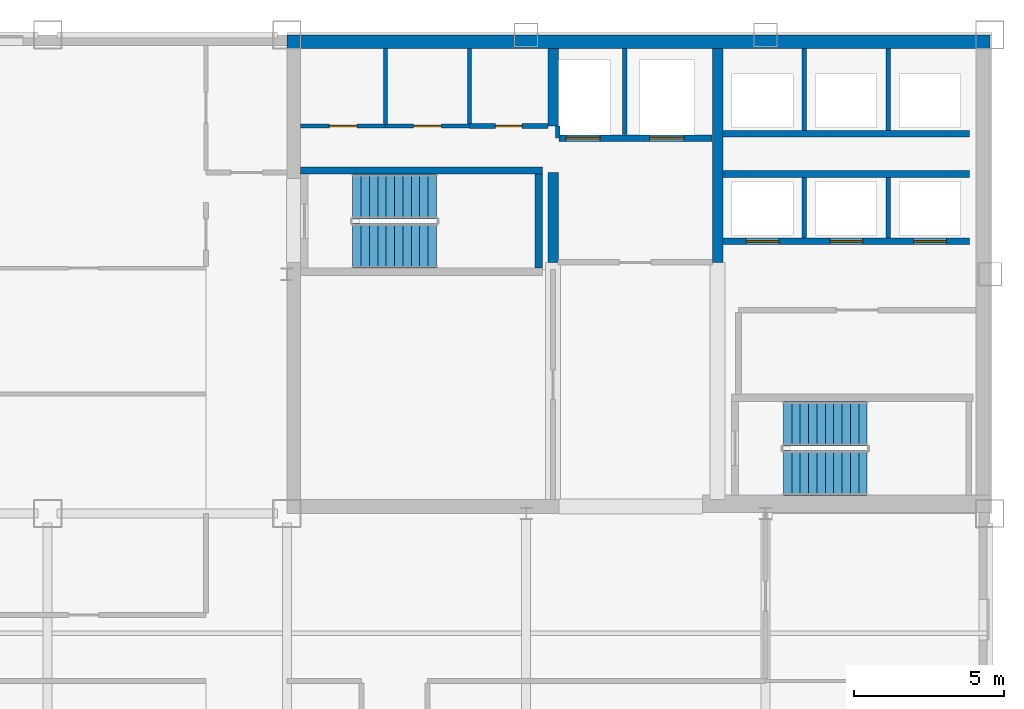
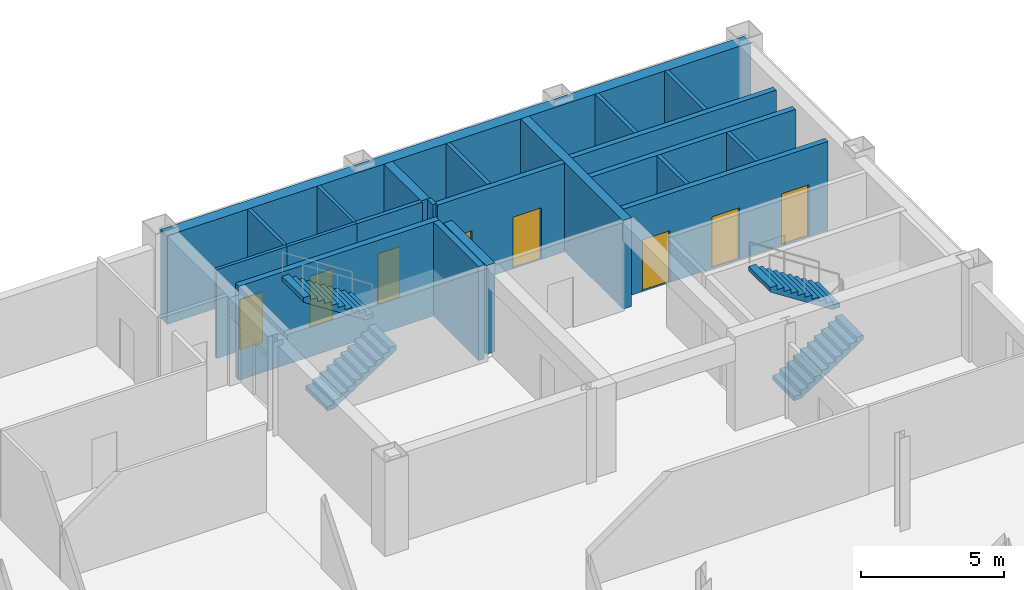
# One storey, part 6 of 10: 21 walls, 8 doors, 4 stair flights, 8 openings, 2 elements without a shape of their own.
"""IFC4 building model written with IfcOpenShell, lengths in metres."""

from ifc_helpers import new_model, si_unit, direction, frame, frame_2d, origin, place, context, subcontext, project, spatial, polyline, rectangle, outline, extrude, material, layer, layer_set, type_object, element, fill, aggregate, save


model = new_model("IFC4")

# Units and contexts
model_context = context("Model", 3, precision=1e-05, world=origin(), true_north=direction((0.0, 1.0)))
body_context = subcontext(model_context, "Body", "Model", "MODEL_VIEW")
ifc_project = project(units=[si_unit("LENGTHUNIT", "METRE"), si_unit("AREAUNIT", "SQUARE_METRE"), si_unit("VOLUMEUNIT", "CUBIC_METRE"), si_unit("PLANEANGLEUNIT", "RADIAN"), si_unit("MASSUNIT", "GRAM", prefix="KILO")], contexts=[model_context])

# Site, building, storey
site_placement = place(None, origin())
site = spatial("IfcSite", under=ifc_project, at=site_placement, CompositionType="ELEMENT")
building_placement = place(site_placement, origin())
building = spatial("IfcBuilding", under=site, at=building_placement, Name="Qianrong Seaharbour Tower", CompositionType="ELEMENT")
storey_placement = place(building_placement, frame((0.0, 0.0, 253.800048828125)))
storey = spatial("IfcBuildingStorey", under=building, at=storey_placement, Name="L61", CompositionType="ELEMENT", Elevation=253.800048828125)

# Walls
ifc_material_1 = material(Name="Concrete C60/75", Category="concrete")
ifc_layer_1 = layer(ifc_material_1, 0.4599609375)
ifc_layer_set_1 = layer_set([ifc_layer_1], Name="Concrete C60/75")
wall_type_1 = type_object("IfcWallType", Name="WALL-CORE-460", PredefinedType="SHEAR", material=ifc_layer_set_1)
wall_1_placement = place(storey_placement, frame((40.5, 51.77001953125, 0.0), z_axis=(0.0, 0.0, 1.0), x_axis=(1.0, 0.0, 0.0)))
element("IfcWall", 1, at=wall_1_placement, inside=storey, type_object=wall_type_1, Name="L61 North Core Shear Wall", PredefinedType="SHEAR", context=body_context, shape_type="SweptSolid", body=[
    extrude(rectangle(XDim=23.5, YDim=0.4599609375, at=frame_2d((11.75, 0.0))), origin(), (0.0, 0.0, 1.0), 3.77490234375),
])
ifc_material_2 = material(Name="Concrete C50/60", Category="concrete")
ifc_layer_2 = layer(ifc_material_2, 0.35009765625)
ifc_layer_set_2 = layer_set([ifc_layer_2], Name="Concrete C50/60")
wall_type_2 = type_object("IfcWallType", Name="WALL-CORE-INT-350", PredefinedType="SHEAR", material=ifc_layer_set_2)
wall_2_placement = place(storey_placement, frame((49.39990234375, 44.39990234375, 0.0), z_axis=(0.0, 0.0, 1.0), x_axis=(0.0, 1.0, 0.0)))
element("IfcWall", 2, at=wall_2_placement, inside=storey, type_object=wall_type_2, Name="L61 Internal Core Shear Wall IW1N1", PredefinedType="SHEAR", context=body_context, shape_type="SweptSolid", body=[
    extrude(rectangle(XDim=3.0, YDim=0.35009765625, at=frame_2d((1.5, 0.0))), origin(), (0.0, 0.0, 1.0), 3.77490234375),
])
wall_3_placement = place(storey_placement, frame((49.39990234375, 48.949951171875, 0.0), z_axis=(0.0, 0.0, 1.0), x_axis=(0.0, 1.0, 0.0)))
element("IfcWall", 3, at=wall_3_placement, inside=storey, type_object=wall_type_2, Name="L61 Internal Core Shear Wall IW1N2", PredefinedType="SHEAR", context=body_context, shape_type="SweptSolid", body=[
    extrude(rectangle(XDim=2.590087890625, YDim=0.35009765625, at=frame_2d((1.294921875, 0.0))), origin(), (0.0, 0.0, 1.0), 3.77490234375),
])
wall_4_placement = place(storey_placement, frame((54.89990234375, 44.39990234375, 0.0), z_axis=(0.0, 0.0, 1.0), x_axis=(0.0, 1.0, 0.0)))
element("IfcWall", 4, at=wall_4_placement, inside=storey, type_object=wall_type_2, Name="L61 Internal Core Shear Wall IW2N", PredefinedType="SHEAR", context=body_context, shape_type="SweptSolid", body=[
    extrude(rectangle(XDim=7.14013671875, YDim=0.35009765625, at=frame_2d((3.570068359375, 0.0))), origin(), (0.0, 0.0, 1.0), 3.77490234375),
])

# Wall, opening, door
ifc_material_3 = material(Name="Fire-rated acoustic gypsum board partition")
ifc_layer_3 = layer(ifc_material_3, 0.1650390625)
ifc_layer_set_3 = layer_set([ifc_layer_3], Name="Fire-rated acoustic gypsum board partition")
wall_type_3 = type_object("IfcWallType", Name="WALL-CORR-PART-165", PredefinedType="PARTITIONING", material=ifc_layer_set_3)
wall_5_placement = place(storey_placement, frame((46.60009765625, 48.949951171875, 0.0), z_axis=(0.0, 0.0, 1.0), x_axis=(1.0, 0.0, 0.0)))
wall_5 = element("IfcWall", 5, at=wall_5_placement, inside=storey, type_object=wall_type_3, Name="L61 Interior Partition Wall 006", PredefinedType="PARTITIONING", context=body_context, shape_type="SweptSolid", body=[
    extrude(rectangle(XDim=2.6328125, YDim=0.1650390625, at=frame_2d((1.31640625, 0.0))), origin(), (0.0, 0.0, 1.0), 3.77490234375),
])
opening_1_placement = place(wall_5_placement, frame((0.866455078125, 0.0, 0.0)))
opening_1 = element("IfcOpeningElement", 6, at=opening_1_placement, cuts=wall_5, Name="Opening DS-01", PredefinedType="OPENING", context=body_context, shape_type="SweptSolid", body=[
    extrude(rectangle(XDim=0.89990234375, YDim=2.14990234375, at=frame_2d((0.449951171875, 1.074951171875))), frame((0.0, 0.092529296875, 0.0), z_axis=(0.0, -1.0, 0.0), x_axis=(1.0, 0.0, 0.0)), (0.0, 0.0, 1.0), 0.18505859375),
])
ifc_material_4 = material(Name="Acoustic timber and galvanized steel fire door assembly", Category="steel")
door_type_1 = type_object("IfcDoorType", Name="DOOR-STORE-900x2150", OperationType="NOTDEFINED", PredefinedType="DOOR", material=ifc_material_4)
door_1_placement = place(opening_1_placement, origin())
door_1 = element("IfcDoor", 7, at=door_1_placement, inside=storey, type_object=door_type_1, Name="L61 Cleaner Store Room Door", OperationType="SINGLE_SWING_LEFT", OverallHeight=2.14990234375, OverallWidth=0.89990234375, PredefinedType="DOOR", context=body_context, shape_type="SweptSolid", body=[
    extrude(rectangle(XDim=0.89990234375, YDim=2.14990234375, at=frame_2d((0.449951171875, 1.074951171875))), frame((0.0, 0.02490234375, 0.0), z_axis=(0.0, -1.0, 0.0), x_axis=(1.0, 0.0, 0.0)), (0.0, 0.0, 1.0), 0.050048828125),
])
fill(opening_1, door_1)

# Walls
ifc_material_5 = material(Name="Fire-rated gypsum board on steel studs", Category="steel")
ifc_layer_4 = layer(ifc_material_5, 0.14990234375)
ifc_layer_set_4 = layer_set([ifc_layer_4], Name="Fire-rated gypsum board on steel studs")
wall_type_4 = type_object("IfcWallType", Name="WALL-SHAFT-DIV-150", PredefinedType="PARTITIONING", material=ifc_layer_set_4)
wall_6_placement = place(storey_placement, frame((51.800048828125, 48.669921875, 0.0), z_axis=(0.0, 0.0, 1.0), x_axis=(0.0, 1.0, 0.0)))
element("IfcWall", 8, at=wall_6_placement, inside=storey, type_object=wall_type_4, Name="L61 Firefighting Lift Shaft Divider Wall", PredefinedType="PARTITIONING", context=body_context, shape_type="SweptSolid", body=[
    extrude(rectangle(XDim=2.8701171875, YDim=0.14990234375, at=frame_2d((1.43505859375, 0.0))), origin(), (0.0, 0.0, 1.0), 3.77490234375),
])
wall_7_placement = place(storey_placement, frame((49.550048828125, 48.550048828125, 0.0), z_axis=(0.0, 0.0, 1.0), x_axis=(0.0, 1.0, 0.0)))
element("IfcWall", 9, at=wall_7_placement, inside=storey, type_object=wall_type_4, Name="L61 Firefighting Lift Shaft West Return Wall", PredefinedType="PARTITIONING", context=body_context, shape_type="SweptSolid", body=[
    extrude(rectangle(XDim=0.39990234375, YDim=0.14990234375, at=frame_2d((0.199951171875, 0.0))), origin(), (0.0, 0.0, 1.0), 3.77490234375),
])
for number, where, z_axis, x_axis, name in (
    (10, (57.800048828125, 45.2099609375, 0.0), (0.0, 0.0, 1.0), (0.0, 1.0, 0.0), "L61 P3 Lift Hoistway Divider 2"),
    (11, (60.60009765625, 45.2099609375, 0.0), (0.0, 0.0, 1.0), (0.0, 1.0, 0.0), "L61 P3 Lift Hoistway Divider 3"),
):
    element("IfcWall", number, at=place(storey_placement, frame(where, z_axis=z_axis, x_axis=x_axis)), inside=storey, type_object=wall_type_4, Name=name, PredefinedType="PARTITIONING", context=body_context, shape_type="SweptSolid", body=[
        extrude(rectangle(XDim=2.030029296875, YDim=0.14990234375, at=frame_2d((1.01513671875, 0.0))), origin(), (0.0, 0.0, 1.0), 3.77490234375),
    ])
for number, where, z_axis, x_axis, name in (
    (12, (57.800048828125, 48.81005859375, 0.0), (0.0, 0.0, 1.0), (0.0, 1.0, 0.0), "L61 P4 Lift Hoistway Divider 2"),
    (13, (60.60009765625, 48.81005859375, 0.0), (0.0, 0.0, 1.0), (0.0, 1.0, 0.0), "L61 P4 Lift Hoistway Divider 3"),
):
    element("IfcWall", number, at=place(storey_placement, frame(where, z_axis=z_axis, x_axis=x_axis)), inside=storey, type_object=wall_type_4, Name=name, PredefinedType="PARTITIONING", context=body_context, shape_type="SweptSolid", body=[
        extrude(rectangle(XDim=2.72998046875, YDim=0.14990234375, at=frame_2d((1.364990234375, 0.0))), origin(), (0.0, 0.0, 1.0), 3.77490234375),
    ])

# Wall, openings, doors
ifc_layer_5 = layer(ifc_material_5, 0.219970703125)
ifc_layer_set_5 = layer_set([ifc_layer_5], Name="Fire-rated gypsum board on steel studs")
wall_type_5 = type_object("IfcWallType", Name="WALL-SHAFT-GYP220", PredefinedType="PARTITIONING", material=ifc_layer_set_5)
wall_8_placement = place(storey_placement, frame((54.7099609375, 48.550048828125, 0.0), z_axis=(0.0, 0.0, 1.0), x_axis=(-1.0, 0.0, 0.0)))
wall_8 = element("IfcWall", 14, at=wall_8_placement, inside=storey, type_object=wall_type_5, Name="L61 Firefighting Lift Shaft Front Wall", PredefinedType="PARTITIONING", context=body_context, shape_type="SweptSolid", body=[
    extrude(rectangle(XDim=5.119873046875, YDim=0.219970703125, at=frame_2d((2.56005859375, 0.0))), origin(), (0.0, 0.0, 1.0), 3.77490234375),
])
opening_2_placement = place(wall_8_placement, frame((3.735107421875, 0.0, 0.0)))
opening_2 = element("IfcOpeningElement", 15, at=opening_2_placement, cuts=wall_8, Name="Opening LD-01", PredefinedType="OPENING", context=body_context, shape_type="SweptSolid", body=[
    extrude(rectangle(XDim=1.14990234375, YDim=2.199951171875, at=frame_2d((0.574951171875, 1.10009765625))), frame((0.0, 0.1201171875, 0.0), z_axis=(0.0, -1.0, 0.0), x_axis=(1.0, 0.0, 0.0)), (0.0, 0.0, 1.0), 0.239990234375),
])
opening_3_placement = place(wall_8_placement, frame((0.93505859375, 0.0, 0.0)))
opening_3 = element("IfcOpeningElement", 16, at=opening_3_placement, cuts=wall_8, Name="Opening LD-01", PredefinedType="OPENING", context=body_context, shape_type="SweptSolid", body=[
    extrude(rectangle(XDim=1.14990234375, YDim=2.199951171875, at=frame_2d((0.574951171875, 1.10009765625))), frame((0.0, 0.1201171875, 0.0), z_axis=(0.0, -1.0, 0.0), x_axis=(1.0, 0.0, 0.0)), (0.0, 0.0, 1.0), 0.239990234375),
])
ifc_material_6 = material(Name="Stainless steel SUS316L bi-parting lift landing door", Category="steel")
door_type_2 = type_object("IfcDoorType", Name="DOOR-LIFT-FF-1150x2200", OperationType="DOUBLE_DOOR_SLIDING", PredefinedType="DOOR", material=ifc_material_6)
door_2_placement = place(opening_2_placement, origin())
door_2 = element("IfcDoor", 17, at=door_2_placement, inside=storey, type_object=door_type_2, Name="L61 FL-1 Firefighting Lift Landing Door", OperationType="DOUBLE_DOOR_SLIDING", OverallHeight=2.199951171875, OverallWidth=1.14990234375, PredefinedType="DOOR", context=body_context, shape_type="SweptSolid", body=[
    extrude(rectangle(XDim=1.14990234375, YDim=2.199951171875, at=frame_2d((0.574951171875, 1.10009765625))), frame((0.0, 0.02490234375, 0.0), z_axis=(0.0, -1.0, 0.0), x_axis=(1.0, 0.0, 0.0)), (0.0, 0.0, 1.0), 0.050048828125),
])
fill(opening_2, door_2)
door_3_placement = place(opening_3_placement, origin())
door_3 = element("IfcDoor", 18, at=door_3_placement, inside=storey, type_object=door_type_2, Name="L61 FL-2 Firefighting Lift Landing Door", OperationType="DOUBLE_DOOR_SLIDING", OverallHeight=2.199951171875, OverallWidth=1.14990234375, PredefinedType="DOOR", context=body_context, shape_type="SweptSolid", body=[
    extrude(rectangle(XDim=1.14990234375, YDim=2.199951171875, at=frame_2d((0.574951171875, 1.10009765625))), frame((0.0, 0.02490234375, 0.0), z_axis=(0.0, -1.0, 0.0), x_axis=(1.0, 0.0, 0.0)), (0.0, 0.0, 1.0), 0.050048828125),
])
fill(opening_3, door_3)

wall_9_placement = place(storey_placement, frame((63.320068359375, 45.10009765625, 0.0), z_axis=(0.0, 0.0, 1.0), x_axis=(-1.0, 0.0, 0.0)))
wall_9 = element("IfcWall", 19, at=wall_9_placement, inside=storey, type_object=wall_type_5, Name="L61 P3 Lift Hoistway Front Wall", PredefinedType="PARTITIONING", context=body_context, shape_type="SweptSolid", body=[
    extrude(rectangle(XDim=8.239990234375, YDim=0.219970703125, at=frame_2d((4.1201171875, 0.0))), origin(), (0.0, 0.0, 1.0), 3.77490234375),
])
opening_4_placement = place(wall_9_placement, frame((6.3701171875, 0.0, 0.0)))
opening_4 = element("IfcOpeningElement", 20, at=opening_4_placement, cuts=wall_9, Name="Opening LD-02", PredefinedType="OPENING", context=body_context, shape_type="SweptSolid", body=[
    extrude(rectangle(XDim=1.10009765625, YDim=2.199951171875, at=frame_2d((0.550048828125, 1.10009765625))), frame((0.0, 0.1201171875, 0.0), z_axis=(0.0, -1.0, 0.0), x_axis=(1.0, 0.0, 0.0)), (0.0, 0.0, 1.0), 0.239990234375),
])
opening_5_placement = place(wall_9_placement, frame((3.570068359375, 0.0, 0.0)))
opening_5 = element("IfcOpeningElement", 21, at=opening_5_placement, cuts=wall_9, Name="Opening LD-02", PredefinedType="OPENING", context=body_context, shape_type="SweptSolid", body=[
    extrude(rectangle(XDim=1.10009765625, YDim=2.199951171875, at=frame_2d((0.550048828125, 1.10009765625))), frame((0.0, 0.1201171875, 0.0), z_axis=(0.0, -1.0, 0.0), x_axis=(1.0, 0.0, 0.0)), (0.0, 0.0, 1.0), 0.239990234375),
])
opening_6_placement = place(wall_9_placement, frame((0.77001953125, 0.0, 0.0)))
opening_6 = element("IfcOpeningElement", 22, at=opening_6_placement, cuts=wall_9, Name="Opening LD-02", PredefinedType="OPENING", context=body_context, shape_type="SweptSolid", body=[
    extrude(rectangle(XDim=1.10009765625, YDim=2.199951171875, at=frame_2d((0.550048828125, 1.10009765625))), frame((0.0, 0.1201171875, 0.0), z_axis=(0.0, -1.0, 0.0), x_axis=(1.0, 0.0, 0.0)), (0.0, 0.0, 1.0), 0.239990234375),
])
door_type_3 = type_object("IfcDoorType", Name="DOOR-LIFT-PASS-1100x2200", OperationType="DOUBLE_DOOR_SLIDING", PredefinedType="DOOR", material=ifc_material_6)
door_4_placement = place(opening_4_placement, origin())
door_4 = element("IfcDoor", 23, at=door_4_placement, inside=storey, type_object=door_type_3, Name="L61 PL-3A Lift Landing Door", OperationType="DOUBLE_DOOR_SLIDING", OverallHeight=2.199951171875, OverallWidth=1.10009765625, PredefinedType="DOOR", context=body_context, shape_type="SweptSolid", body=[
    extrude(rectangle(XDim=1.10009765625, YDim=2.199951171875, at=frame_2d((0.550048828125, 1.10009765625))), frame((0.0, 0.02490234375, 0.0), z_axis=(0.0, -1.0, 0.0), x_axis=(1.0, 0.0, 0.0)), (0.0, 0.0, 1.0), 0.050048828125),
])
fill(opening_4, door_4)
door_5_placement = place(opening_5_placement, origin())
door_5 = element("IfcDoor", 24, at=door_5_placement, inside=storey, type_object=door_type_3, Name="L61 PL-3B Lift Landing Door", OperationType="DOUBLE_DOOR_SLIDING", OverallHeight=2.199951171875, OverallWidth=1.10009765625, PredefinedType="DOOR", context=body_context, shape_type="SweptSolid", body=[
    extrude(rectangle(XDim=1.10009765625, YDim=2.199951171875, at=frame_2d((0.550048828125, 1.10009765625))), frame((0.0, 0.02490234375, 0.0), z_axis=(0.0, -1.0, 0.0), x_axis=(1.0, 0.0, 0.0)), (0.0, 0.0, 1.0), 0.050048828125),
])
fill(opening_5, door_5)
door_6_placement = place(opening_6_placement, origin())
door_6 = element("IfcDoor", 25, at=door_6_placement, inside=storey, type_object=door_type_3, Name="L61 PL-3C Lift Landing Door", OperationType="DOUBLE_DOOR_SLIDING", OverallHeight=2.199951171875, OverallWidth=1.10009765625, PredefinedType="DOOR", context=body_context, shape_type="SweptSolid", body=[
    extrude(rectangle(XDim=1.10009765625, YDim=2.199951171875, at=frame_2d((0.550048828125, 1.10009765625))), frame((0.0, 0.02490234375, 0.0), z_axis=(0.0, -1.0, 0.0), x_axis=(1.0, 0.0, 0.0)), (0.0, 0.0, 1.0), 0.050048828125),
])
fill(opening_6, door_6)

# Walls
for number, where, z_axis, x_axis, name in (
    (26, (55.080078125, 47.35009765625, 0.0), (0.0, 0.0, 1.0), (1.0, 0.0, 0.0), "L61 P3 Lift Hoistway Back Wall"),
    (27, (63.320068359375, 48.699951171875, 0.0), (0.0, 0.0, 1.0), (-1.0, 0.0, 0.0), "L61 P4 Lift Hoistway Front Wall"),
):
    element("IfcWall", number, at=place(storey_placement, frame(where, z_axis=z_axis, x_axis=x_axis)), inside=storey, type_object=wall_type_5, Name=name, PredefinedType="PARTITIONING", context=body_context, shape_type="SweptSolid", body=[
        extrude(rectangle(XDim=8.239990234375, YDim=0.219970703125, at=frame_2d((4.1201171875, 0.0))), origin(), (0.0, 0.0, 1.0), 3.77490234375),
    ])
ifc_layer_6 = layer(ifc_material_2, 0.239990234375)
ifc_layer_set_6 = layer_set([ifc_layer_6], Name="Concrete C50/60")
wall_type_6 = type_object("IfcWallType", Name="WALL-SHAFT-RC240", PredefinedType="SOLIDWALL", material=ifc_layer_set_6)
wall_10_placement = place(storey_placement, frame((40.9599609375, 47.469970703125, 0.0), z_axis=(0.0, 0.0, 1.0), x_axis=(1.0, 0.0, 0.0)))
element("IfcWall", 28, at=wall_10_placement, inside=storey, type_object=wall_type_6, Name="L61 ST-1 Structural Stair Core Wall N", PredefinedType="SOLIDWALL", context=body_context, shape_type="SweptSolid", body=[
    extrude(rectangle(XDim=8.080078125, YDim=0.239990234375, at=frame_2d((4.0400390625, 0.0))), origin(), (0.0, 0.0, 1.0), 4.0),
])
wall_11_placement = place(storey_placement, frame((48.919921875, 44.199951171875, 0.0), z_axis=(0.0, 0.0, 1.0), x_axis=(0.0, 1.0, 0.0)))
element("IfcWall", 29, at=wall_11_placement, inside=storey, type_object=wall_type_6, Name="L61 ST-1 Structural Stair Core Wall E", PredefinedType="SOLIDWALL", context=body_context, shape_type="SweptSolid", body=[
    extrude(rectangle(XDim=3.150146484375, YDim=0.239990234375, at=frame_2d((1.5751953125, 0.0))), origin(), (0.0, 0.0, 1.0), 4.0),
])

# Wall, opening, door
ifc_material_7 = material(Name="Water-resistant cement board sanitary partition")
ifc_layer_7 = layer(ifc_material_7, 0.1298828125)
ifc_layer_set_7 = layer_set([ifc_layer_7], Name="Water-resistant cement board sanitary partition")
wall_type_7 = type_object("IfcWallType", Name="WALL-WET-PART-130", PredefinedType="PARTITIONING", material=ifc_layer_set_7)
wall_12_placement = place(storey_placement, frame((40.9599609375, 48.949951171875, 0.0), z_axis=(0.0, 0.0, 1.0), x_axis=(1.0, 0.0, 0.0)))
wall_12 = element("IfcWall", 30, at=wall_12_placement, inside=storey, type_object=wall_type_7, Name="L61 Interior Partition Wall 004", PredefinedType="PARTITIONING", context=body_context, shape_type="SweptSolid", body=[
    extrude(rectangle(XDim=2.840087890625, YDim=0.1298828125, at=frame_2d((1.419921875, 0.0))), origin(), (0.0, 0.0, 1.0), 3.77490234375),
])
opening_7_placement = place(wall_12_placement, frame((0.9599609375, 0.0, 0.0)))
opening_7 = element("IfcOpeningElement", 31, at=opening_7_placement, cuts=wall_12, Name="Opening DW-01", PredefinedType="OPENING", context=body_context, shape_type="SweptSolid", body=[
    extrude(rectangle(XDim=0.919921875, YDim=2.14990234375, at=frame_2d((0.4599609375, 1.074951171875))), frame((0.0, 0.074951171875, 0.0), z_axis=(0.0, -1.0, 0.0), x_axis=(1.0, 0.0, 0.0)), (0.0, 0.0, 1.0), 0.14990234375),
])
door_type_4 = type_object("IfcDoorType", Name="DOOR-WC-920x2150", OperationType="NOTDEFINED", PredefinedType="DOOR", material=ifc_material_4)
door_7_placement = place(opening_7_placement, origin())
door_7 = element("IfcDoor", 32, at=door_7_placement, inside=storey, type_object=door_type_4, Name="L61 Male Restroom WC Door", OperationType="SINGLE_SWING_LEFT", OverallHeight=2.14990234375, OverallWidth=0.919921875, PredefinedType="DOOR", context=body_context, shape_type="SweptSolid", body=[
    extrude(rectangle(XDim=0.919921875, YDim=2.14990234375, at=frame_2d((0.4599609375, 1.074951171875))), frame((0.0, 0.02490234375, 0.0), z_axis=(0.0, -1.0, 0.0), x_axis=(1.0, 0.0, 0.0)), (0.0, 0.0, 1.0), 0.050048828125),
])
fill(opening_7, door_7)

wall_13_placement = place(storey_placement, frame((43.800048828125, 48.949951171875, 0.0), z_axis=(0.0, 0.0, 1.0), x_axis=(1.0, 0.0, 0.0)))
wall_13 = element("IfcWall", 33, at=wall_13_placement, inside=storey, type_object=wall_type_7, Name="L61 Interior Partition Wall 005", PredefinedType="PARTITIONING", context=body_context, shape_type="SweptSolid", body=[
    extrude(rectangle(XDim=2.800048828125, YDim=0.1298828125, at=frame_2d((1.39990234375, 0.0))), origin(), (0.0, 0.0, 1.0), 3.77490234375),
])
opening_8_placement = place(wall_13_placement, frame((0.93994140625, 0.0, 0.0)))
opening_8 = element("IfcOpeningElement", 34, at=opening_8_placement, cuts=wall_13, Name="Opening DW-01", PredefinedType="OPENING", context=body_context, shape_type="SweptSolid", body=[
    extrude(rectangle(XDim=0.919921875, YDim=2.14990234375, at=frame_2d((0.4599609375, 1.074951171875))), frame((0.0, 0.074951171875, 0.0), z_axis=(0.0, -1.0, 0.0), x_axis=(1.0, 0.0, 0.0)), (0.0, 0.0, 1.0), 0.14990234375),
])
door_8_placement = place(opening_8_placement, origin())
door_8 = element("IfcDoor", 35, at=door_8_placement, inside=storey, type_object=door_type_4, Name="L61 Female Restroom WC Door", OperationType="SINGLE_SWING_RIGHT", OverallHeight=2.14990234375, OverallWidth=0.919921875, PredefinedType="DOOR", context=body_context, shape_type="SweptSolid", body=[
    extrude(rectangle(XDim=0.919921875, YDim=2.14990234375, at=frame_2d((0.4599609375, 1.074951171875))), frame((0.0, 0.02490234375, 0.0), z_axis=(0.0, -1.0, 0.0), x_axis=(1.0, 0.0, 0.0)), (0.0, 0.0, 1.0), 0.050048828125),
])
fill(opening_8, door_8)

# Walls
wall_14_placement = place(storey_placement, frame((43.800048828125, 51.5400390625, 0.0), z_axis=(0.0, 0.0, 1.0), x_axis=(0.0, -1.0, 0.0)))
element("IfcWall", 36, at=wall_14_placement, inside=storey, type_object=wall_type_7, Name="L61 Interior Partition Wall 011", PredefinedType="PARTITIONING", context=body_context, shape_type="SweptSolid", body=[
    extrude(rectangle(XDim=2.532958984375, YDim=0.1298828125, at=frame_2d((1.2666015625, 0.0))), origin(), (0.0, 0.0, 1.0), 3.77490234375),
])
wall_15_placement = place(storey_placement, frame((46.60009765625, 51.5400390625, 0.0), z_axis=(0.0, 0.0, 1.0), x_axis=(0.0, -1.0, 0.0)))
element("IfcWall", 37, at=wall_15_placement, inside=storey, type_object=wall_type_7, Name="L61 Interior Partition Wall 012", PredefinedType="PARTITIONING", context=body_context, shape_type="SweptSolid", body=[
    extrude(rectangle(XDim=2.515625, YDim=0.1298828125, at=frame_2d((1.2578125, 0.0))), origin(), (0.0, 0.0, 1.0), 3.77490234375),
])

# Stair, stair flights
stair_type = type_object("IfcStairType", Name="STAIR-DOGLEG-1500-R22", PredefinedType="HALF_TURN_STAIR", material=ifc_material_2)
stair_1_placement = place(storey_placement, origin())
stair_1 = element("IfcStair", 38, at=stair_1_placement, inside=storey, type_object=stair_type, Name="L61 Protected Escape Stair ST-1", PredefinedType="HALF_TURN_STAIR")
stair_flight_type = type_object("IfcStairFlightType", Name="FLIGHT-STR-1500-R22", PredefinedType="STRAIGHT", material=ifc_material_2)
stair_flight_1_placement = place(storey_placement, frame((42.699951171875, 44.949951171875, 0.0), z_axis=(0.0, 0.0, 1.0), x_axis=(1.0, 0.0, 0.0)))
stair_flight_1 = element("IfcStairFlight", 39, at=stair_flight_1_placement, type_object=stair_flight_type, Name="ST-1 flight 1", NumberOfRisers=11, NumberOfTreads=10, PredefinedType="STRAIGHT", RiserHeight=0.181818182, TreadLength=0.28, context=body_context, shape_type="SweptSolid", body=[
    extrude(outline(polyline([(0.0, 0.0), (0.0, 0.181884765625), (0.280029296875, 0.181884765625), (0.280029296875, 0.363525390625), (0.56005859375, 0.363525390625), (0.56005859375, 0.54541015625), (0.840087890625, 0.54541015625), (0.840087890625, 0.727294921875), (1.1201171875, 0.727294921875), (1.1201171875, 0.9091796875), (1.39990234375, 0.9091796875), (1.39990234375, 1.0908203125), (1.679931640625, 1.0908203125), (1.679931640625, 1.272705078125), (1.9599609375, 1.272705078125), (1.9599609375, 1.45458984375), (2.239990234375, 1.45458984375), (2.239990234375, 1.636474609375), (2.52001953125, 1.636474609375), (2.52001953125, 1.818115234375), (2.800048828125, 1.818115234375), (2.800048828125, 2.0), (2.800048828125, 1.62744140625), (0.293701171875, 0.0), (0.0, 0.0)])), frame((0.0, 0.75, 0.0), z_axis=(0.0, -1.0, 0.0), x_axis=(1.0, 0.0, 0.0)), (0.0, 0.0, 1.0), 1.5),
])
stair_flight_2_placement = place(storey_placement, frame((45.5, 46.60009765625, 2.0), z_axis=(0.0, 0.0, 1.0), x_axis=(-1.0, 0.0, 0.0)))
stair_flight_2 = element("IfcStairFlight", 40, at=stair_flight_2_placement, type_object=stair_flight_type, Name="ST-1 flight 2", NumberOfRisers=11, NumberOfTreads=10, PredefinedType="STRAIGHT", RiserHeight=0.181818182, TreadLength=0.28, context=body_context, shape_type="SweptSolid", body=[
    extrude(outline(polyline([(0.0, 0.0), (0.0, 0.181884765625), (0.280029296875, 0.181884765625), (0.280029296875, 0.363525390625), (0.56005859375, 0.363525390625), (0.56005859375, 0.54541015625), (0.840087890625, 0.54541015625), (0.840087890625, 0.727294921875), (1.1201171875, 0.727294921875), (1.1201171875, 0.9091796875), (1.39990234375, 0.9091796875), (1.39990234375, 1.0908203125), (1.679931640625, 1.0908203125), (1.679931640625, 1.272705078125), (1.9599609375, 1.272705078125), (1.9599609375, 1.45458984375), (2.239990234375, 1.45458984375), (2.239990234375, 1.636474609375), (2.52001953125, 1.636474609375), (2.52001953125, 1.818115234375), (2.800048828125, 1.818115234375), (2.800048828125, 2.0), (2.800048828125, 1.62744140625), (0.293701171875, 0.0), (0.0, 0.0)])), frame((0.0, 0.75, 0.0), z_axis=(0.0, -1.0, 0.0), x_axis=(1.0, 0.0, 0.0)), (0.0, 0.0, 1.0), 1.5),
])
aggregate(stair_1, [stair_flight_1, stair_flight_2])

stair_2_placement = place(storey_placement, origin())
stair_2 = element("IfcStair", 41, at=stair_2_placement, inside=storey, type_object=stair_type, Name="L61 Protected Escape Stair ST-2", PredefinedType="HALF_TURN_STAIR")
stair_flight_3_placement = place(storey_placement, frame((57.10009765625, 37.35009765625, 0.0), z_axis=(0.0, 0.0, 1.0), x_axis=(1.0, 0.0, 0.0)))
stair_flight_3 = element("IfcStairFlight", 42, at=stair_flight_3_placement, type_object=stair_flight_type, Name="ST-2 flight 1", NumberOfRisers=11, NumberOfTreads=10, PredefinedType="STRAIGHT", RiserHeight=0.181818182, TreadLength=0.28, context=body_context, shape_type="SweptSolid", body=[
    extrude(outline(polyline([(0.0, 0.0), (0.0, 0.181884765625), (0.280029296875, 0.181884765625), (0.280029296875, 0.363525390625), (0.56005859375, 0.363525390625), (0.56005859375, 0.54541015625), (0.840087890625, 0.54541015625), (0.840087890625, 0.727294921875), (1.1201171875, 0.727294921875), (1.1201171875, 0.9091796875), (1.39990234375, 0.9091796875), (1.39990234375, 1.0908203125), (1.679931640625, 1.0908203125), (1.679931640625, 1.272705078125), (1.9599609375, 1.272705078125), (1.9599609375, 1.45458984375), (2.239990234375, 1.45458984375), (2.239990234375, 1.636474609375), (2.52001953125, 1.636474609375), (2.52001953125, 1.818115234375), (2.800048828125, 1.818115234375), (2.800048828125, 2.0), (2.800048828125, 1.62744140625), (0.293701171875, 0.0), (0.0, 0.0)])), frame((0.0, 0.75, 0.0), z_axis=(0.0, -1.0, 0.0), x_axis=(1.0, 0.0, 0.0)), (0.0, 0.0, 1.0), 1.5),
])
stair_flight_4_placement = place(storey_placement, frame((59.89990234375, 39.0, 2.0), z_axis=(0.0, 0.0, 1.0), x_axis=(-1.0, 0.0, 0.0)))
stair_flight_4 = element("IfcStairFlight", 43, at=stair_flight_4_placement, type_object=stair_flight_type, Name="ST-2 flight 2", NumberOfRisers=11, NumberOfTreads=10, PredefinedType="STRAIGHT", RiserHeight=0.181818182, TreadLength=0.28, context=body_context, shape_type="SweptSolid", body=[
    extrude(outline(polyline([(0.0, 0.0), (0.0, 0.181884765625), (0.280029296875, 0.181884765625), (0.280029296875, 0.363525390625), (0.56005859375, 0.363525390625), (0.56005859375, 0.54541015625), (0.840087890625, 0.54541015625), (0.840087890625, 0.727294921875), (1.1201171875, 0.727294921875), (1.1201171875, 0.9091796875), (1.39990234375, 0.9091796875), (1.39990234375, 1.0908203125), (1.679931640625, 1.0908203125), (1.679931640625, 1.272705078125), (1.9599609375, 1.272705078125), (1.9599609375, 1.45458984375), (2.239990234375, 1.45458984375), (2.239990234375, 1.636474609375), (2.52001953125, 1.636474609375), (2.52001953125, 1.818115234375), (2.800048828125, 1.818115234375), (2.800048828125, 2.0), (2.800048828125, 1.62744140625), (0.293701171875, 0.0), (0.0, 0.0)])), frame((0.0, 0.75, 0.0), z_axis=(0.0, -1.0, 0.0), x_axis=(1.0, 0.0, 0.0)), (0.0, 0.0, 1.0), 1.5),
])
aggregate(stair_2, [stair_flight_3, stair_flight_4])

save(model, "model.ifc")
